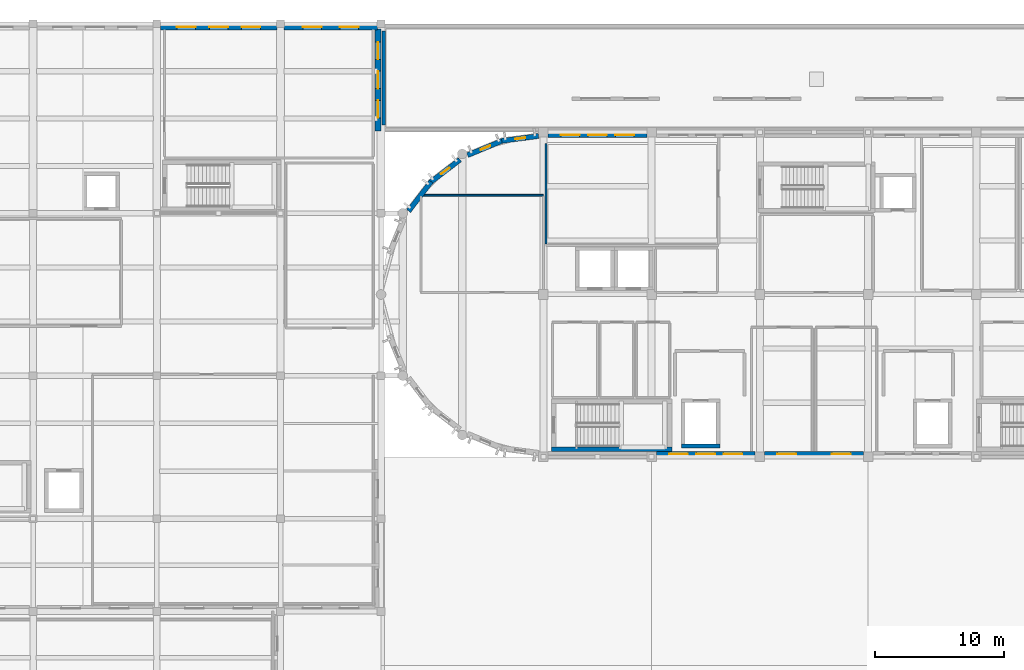
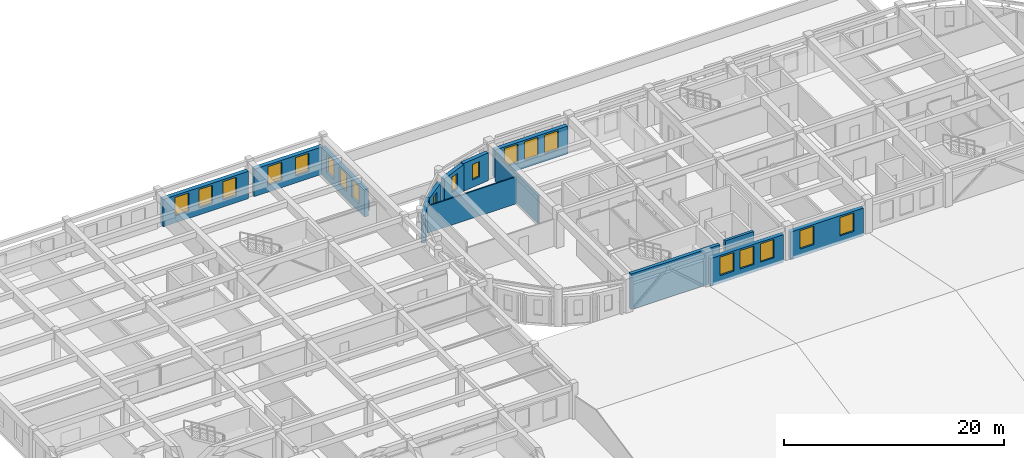
# One storey, part 21 of 46: 19 windows, 15 walls, 19 openings.
"""IFC4 building model written with IfcOpenShell, lengths in metres."""

from ifc_helpers import new_model, si_unit, direction, frame, frame_2d, origin, place, context, subcontext, project, spatial, rectangle, extrude, material, layer, layer_set, type_object, element, fill, save


model = new_model("IFC4")

# Units and contexts
model_context = context("Model", 3, precision=1e-05, world=origin(), true_north=direction((0.0, 1.0)))
body_context = subcontext(model_context, "Body", "Model", "MODEL_VIEW")
ifc_project = project(units=[si_unit("LENGTHUNIT", "METRE"), si_unit("AREAUNIT", "SQUARE_METRE"), si_unit("VOLUMEUNIT", "CUBIC_METRE"), si_unit("PLANEANGLEUNIT", "RADIAN"), si_unit("MASSUNIT", "GRAM", prefix="KILO")], contexts=[model_context])

# Site, building, storey
site_placement = place(None, origin())
site = spatial("IfcSite", under=ifc_project, at=site_placement, CompositionType="ELEMENT")
building_placement = place(site_placement, origin())
building = spatial("IfcBuilding", under=site, at=building_placement, Name="Tarnavel Promenade Courthouse", CompositionType="ELEMENT")
storey_placement = place(building_placement, frame((0.0, 0.0, 14.39990234375)))
storey = spatial("IfcBuildingStorey", under=building, at=storey_placement, Name="L04", CompositionType="ELEMENT", Elevation=14.39990234375)

# Walls
ifc_material_1 = material(Name="Concrete C35/45", Category="concrete")
ifc_layer_1 = layer(ifc_material_1, 0.264892578125)
ifc_layer_set_1 = layer_set([ifc_layer_1], Name="Concrete C35/45")
wall_type_1 = type_object("IfcWallType", Name="Concrete C35/45 WL-PAR-265 (265 mm)", PredefinedType="PARAPET", material=ifc_layer_set_1)
wall_1_placement = place(storey_placement, frame((46.39990234375, 104.949951171875, 0.235107421875), z_axis=(0.0, 0.0, 1.0), x_axis=(0.0, 1.0, 0.0)))
element("IfcWall", 1, at=wall_1_placement, inside=storey, type_object=wall_type_1, Name="L04 North Foyer Roof Parapet West 0464", PredefinedType="PARAPET", context=body_context, shape_type="SweptSolid", body=[
    extrude(rectangle(XDim=7.300048828125, YDim=0.264892578125, at=frame_2d((3.64990234375, 0.0))), origin(), (0.0, 0.0, 1.0), 1.14501953125),
])
ifc_material_2 = material(Name="Concrete C40/50", Category="concrete")
ifc_layer_2 = layer(ifc_material_2, 0.280029296875)
ifc_layer_set_2 = layer_set([ifc_layer_2], Name="Concrete C40/50")
wall_type_2 = type_object("IfcWallType", Name="Concrete C40/50 WL-SHR-280 (280 mm)", PredefinedType="SHEAR", material=ifc_layer_set_2)
wall_2_placement = place(storey_placement, frame((72.5, 80.0400390625, 0.0), z_axis=(0.0, 0.0, 1.0), x_axis=(-1.0, 0.0, 0.0)))
element("IfcWall", 2, at=wall_2_placement, inside=storey, type_object=wall_type_2, Name="L04 L-FF1 Lift Shaft South Wall", PredefinedType="SHEAR", context=body_context, shape_type="SweptSolid", body=[
    extrude(rectangle(XDim=3.0, YDim=0.280029296875, at=frame_2d((1.5, 0.0))), origin(), (0.0, 0.0, 1.0), 3.960205078125),
])
ifc_layer_3 = layer(ifc_material_2, 0.360107421875)
ifc_layer_set_3 = layer_set([ifc_layer_3], Name="Concrete C40/50")
wall_type_3 = type_object("IfcWallType", Name="Concrete C40/50 WL-SHR-360 (360 mm)", PredefinedType="SHEAR", material=ifc_layer_set_3)
wall_3_placement = place(storey_placement, frame((68.780029296875, 79.800048828125, 0.0), z_axis=(0.0, 0.0, 1.0), x_axis=(-1.0, 0.0, 0.0)))
element("IfcWall", 3, at=wall_3_placement, inside=storey, type_object=wall_type_3, Name="L04 ST-01 Shear Core South Wall", PredefinedType="SHEAR", context=body_context, shape_type="SweptSolid", body=[
    extrude(rectangle(XDim=9.360107421875, YDim=0.360107421875, at=frame_2d((4.68017578125, 0.0))), origin(), (0.0, 0.0, 1.0), 3.960205078125),
])

# Wall, openings, windows
ifc_material_3 = material(Name="Cream Brick Insulated Cavity Facade Assembly", Category="masonry")
ifc_layer_4 = layer(ifc_material_3, 0.409912109375)
ifc_layer_set_4 = layer_set([ifc_layer_4], Name="Cream Brick Insulated Cavity Facade Assembly")
wall_type_4 = type_object("IfcWallType", Name="Cream Brick Insulated Cavity Facade Assembly WL-EXT-410 (410 mm)", PredefinedType="STANDARD", material=ifc_layer_set_4)
wall_4_placement = place(storey_placement, frame((59.162109375, 104.179931640625, 0.0), z_axis=(0.0, 0.0, 1.0), x_axis=(1.0, 0.0, 0.0)))
wall_4 = element("IfcWall", 4, at=wall_4_placement, inside=storey, type_object=wall_type_4, Name="L04 Bar North Limestone Facade 0074", PredefinedType="STANDARD", context=body_context, shape_type="SweptSolid", body=[
    extrude(rectangle(XDim=7.6708984375, YDim=0.409912109375, at=frame_2d((3.83544921875, 0.0))), origin(), (0.0, 0.0, 1.0), 3.090087890625),
])
opening_1_placement = place(wall_4_placement, frame((0.999755859375, 0.0, 0.85009765625)))
opening_1 = element("IfcOpeningElement", 5, at=opening_1_placement, cuts=wall_4, Name="Opening W-03", PredefinedType="OPENING", context=body_context, shape_type="SweptSolid", body=[
    extrude(rectangle(XDim=1.449951171875, YDim=2.050048828125, at=frame_2d((0.72509765625, 1.02490234375))), frame((0.0, 0.21484375, 0.0), z_axis=(0.0, -1.0, 0.0), x_axis=(1.0, 0.0, 0.0)), (0.0, 0.0, 1.0), 0.429931640625),
])
opening_2_placement = place(wall_4_placement, frame((3.113037109375, 0.0, 0.85009765625)))
opening_2 = element("IfcOpeningElement", 6, at=opening_2_placement, cuts=wall_4, Name="Opening W-03", PredefinedType="OPENING", context=body_context, shape_type="SweptSolid", body=[
    extrude(rectangle(XDim=1.449951171875, YDim=2.050048828125, at=frame_2d((0.72509765625, 1.02490234375))), frame((0.0, 0.21484375, 0.0), z_axis=(0.0, -1.0, 0.0), x_axis=(1.0, 0.0, 0.0)), (0.0, 0.0, 1.0), 0.429931640625),
])
opening_3_placement = place(wall_4_placement, frame((5.226318359375, 0.0, 0.85009765625)))
opening_3 = element("IfcOpeningElement", 7, at=opening_3_placement, cuts=wall_4, Name="Opening W-03", PredefinedType="OPENING", context=body_context, shape_type="SweptSolid", body=[
    extrude(rectangle(XDim=1.449951171875, YDim=2.050048828125, at=frame_2d((0.72509765625, 1.02490234375))), frame((0.0, 0.21484375, 0.0), z_axis=(0.0, -1.0, 0.0), x_axis=(1.0, 0.0, 0.0)), (0.0, 0.0, 1.0), 0.429931640625),
])
ifc_material_4 = material(Name="Triple Low-E Glazed Bronze-Clad Window Assembly")
window_type_1 = type_object("IfcWindowType", Name="Triple-Glazed Bronze-Clad Timber-Aluminium WIN-APP-1450x2050", PartitioningType="SINGLE_PANEL", PredefinedType="WINDOW", material=ifc_material_4)
window_1_placement = place(opening_1_placement, origin())
window_1 = element("IfcWindow", 8, at=window_1_placement, inside=storey, type_object=window_type_1, Name="L04 Exterior Window 0047", OverallHeight=2.050048828125, OverallWidth=1.449951171875, PartitioningType="SINGLE_PANEL", PredefinedType="WINDOW", context=body_context, shape_type="SweptSolid", body=[
    extrude(rectangle(XDim=1.449951171875, YDim=2.050048828125, at=frame_2d((0.72509765625, 1.02490234375))), frame((0.0, 0.030029296875, 0.0), z_axis=(0.0, -1.0, 0.0), x_axis=(1.0, 0.0, 0.0)), (0.0, 0.0, 1.0), 0.06005859375),
])
fill(opening_1, window_1)
window_2_placement = place(opening_2_placement, origin())
window_2 = element("IfcWindow", 9, at=window_2_placement, inside=storey, type_object=window_type_1, Name="L04 Exterior Window 0048", OverallHeight=2.050048828125, OverallWidth=1.449951171875, PartitioningType="SINGLE_PANEL", PredefinedType="WINDOW", context=body_context, shape_type="SweptSolid", body=[
    extrude(rectangle(XDim=1.449951171875, YDim=2.050048828125, at=frame_2d((0.72509765625, 1.02490234375))), frame((0.0, 0.030029296875, 0.0), z_axis=(0.0, -1.0, 0.0), x_axis=(1.0, 0.0, 0.0)), (0.0, 0.0, 1.0), 0.06005859375),
])
fill(opening_2, window_2)
window_3_placement = place(opening_3_placement, origin())
window_3 = element("IfcWindow", 10, at=window_3_placement, inside=storey, type_object=window_type_1, Name="L04 Exterior Window 0049", OverallHeight=2.050048828125, OverallWidth=1.449951171875, PartitioningType="SINGLE_PANEL", PredefinedType="WINDOW", context=body_context, shape_type="SweptSolid", body=[
    extrude(rectangle(XDim=1.449951171875, YDim=2.050048828125, at=frame_2d((0.72509765625, 1.02490234375))), frame((0.0, 0.030029296875, 0.0), z_axis=(0.0, -1.0, 0.0), x_axis=(1.0, 0.0, 0.0)), (0.0, 0.0, 1.0), 0.06005859375),
])
fill(opening_3, window_3)

wall_5_placement = place(storey_placement, frame((75.23291015625, 79.419921875, 0.0), z_axis=(0.0, 0.0, 1.0), x_axis=(-1.0, 0.0, 0.0)))
wall_5 = element("IfcWall", 11, at=wall_5_placement, inside=storey, type_object=wall_type_4, Name="L04 Bar South Limestone Facade 0080", PredefinedType="STANDARD", context=body_context, shape_type="SweptSolid", body=[
    extrude(rectangle(XDim=7.666015625, YDim=0.409912109375, at=frame_2d((3.8330078125, 0.0))), origin(), (0.0, 0.0, 1.0), 3.090087890625),
])
opening_4_placement = place(wall_5_placement, frame((0.99462890625, 0.0, 0.85009765625)))
opening_4 = element("IfcOpeningElement", 12, at=opening_4_placement, cuts=wall_5, Name="Opening W-03", PredefinedType="OPENING", context=body_context, shape_type="SweptSolid", body=[
    extrude(rectangle(XDim=1.449951171875, YDim=2.050048828125, at=frame_2d((0.72509765625, 1.02490234375))), frame((0.0, 0.21484375, 0.0), z_axis=(0.0, -1.0, 0.0), x_axis=(1.0, 0.0, 0.0)), (0.0, 0.0, 1.0), 0.429931640625),
])
opening_5_placement = place(wall_5_placement, frame((3.10791015625, 0.0, 0.85009765625)))
opening_5 = element("IfcOpeningElement", 13, at=opening_5_placement, cuts=wall_5, Name="Opening W-03", PredefinedType="OPENING", context=body_context, shape_type="SweptSolid", body=[
    extrude(rectangle(XDim=1.449951171875, YDim=2.050048828125, at=frame_2d((0.72509765625, 1.02490234375))), frame((0.0, 0.21484375, 0.0), z_axis=(0.0, -1.0, 0.0), x_axis=(1.0, 0.0, 0.0)), (0.0, 0.0, 1.0), 0.429931640625),
])
opening_6_placement = place(wall_5_placement, frame((5.22119140625, 0.0, 0.85009765625)))
opening_6 = element("IfcOpeningElement", 14, at=opening_6_placement, cuts=wall_5, Name="Opening W-03", PredefinedType="OPENING", context=body_context, shape_type="SweptSolid", body=[
    extrude(rectangle(XDim=1.449951171875, YDim=2.050048828125, at=frame_2d((0.72509765625, 1.02490234375))), frame((0.0, 0.21484375, 0.0), z_axis=(0.0, -1.0, 0.0), x_axis=(1.0, 0.0, 0.0)), (0.0, 0.0, 1.0), 0.429931640625),
])
window_4_placement = place(opening_4_placement, origin())
window_4 = element("IfcWindow", 15, at=window_4_placement, inside=storey, type_object=window_type_1, Name="L04 Exterior Window 0057", OverallHeight=2.050048828125, OverallWidth=1.449951171875, PartitioningType="SINGLE_PANEL", PredefinedType="WINDOW", context=body_context, shape_type="SweptSolid", body=[
    extrude(rectangle(XDim=1.449951171875, YDim=2.050048828125, at=frame_2d((0.72509765625, 1.02490234375))), frame((0.0, 0.030029296875, 0.0), z_axis=(0.0, -1.0, 0.0), x_axis=(1.0, 0.0, 0.0)), (0.0, 0.0, 1.0), 0.06005859375),
])
fill(opening_4, window_4)
window_5_placement = place(opening_5_placement, origin())
window_5 = element("IfcWindow", 16, at=window_5_placement, inside=storey, type_object=window_type_1, Name="L04 Exterior Window 0058", OverallHeight=2.050048828125, OverallWidth=1.449951171875, PartitioningType="SINGLE_PANEL", PredefinedType="WINDOW", context=body_context, shape_type="SweptSolid", body=[
    extrude(rectangle(XDim=1.449951171875, YDim=2.050048828125, at=frame_2d((0.72509765625, 1.02490234375))), frame((0.0, 0.030029296875, 0.0), z_axis=(0.0, -1.0, 0.0), x_axis=(1.0, 0.0, 0.0)), (0.0, 0.0, 1.0), 0.06005859375),
])
fill(opening_5, window_5)
window_6_placement = place(opening_6_placement, origin())
window_6 = element("IfcWindow", 17, at=window_6_placement, inside=storey, type_object=window_type_1, Name="L04 Exterior Window 0059", OverallHeight=2.050048828125, OverallWidth=1.449951171875, PartitioningType="SINGLE_PANEL", PredefinedType="WINDOW", context=body_context, shape_type="SweptSolid", body=[
    extrude(rectangle(XDim=1.449951171875, YDim=2.050048828125, at=frame_2d((0.72509765625, 1.02490234375))), frame((0.0, 0.030029296875, 0.0), z_axis=(0.0, -1.0, 0.0), x_axis=(1.0, 0.0, 0.0)), (0.0, 0.0, 1.0), 0.06005859375),
])
fill(opening_6, window_6)

wall_6_placement = place(storey_placement, frame((83.633056640625, 79.419921875, 0.0), z_axis=(0.0, 0.0, 1.0), x_axis=(-1.0, 0.0, 0.0)))
wall_6 = element("IfcWall", 18, at=wall_6_placement, inside=storey, type_object=wall_type_4, Name="L04 Bar South Limestone Facade 0081", PredefinedType="STANDARD", context=body_context, shape_type="SweptSolid", body=[
    extrude(rectangle(XDim=7.666015625, YDim=0.409912109375, at=frame_2d((3.8330078125, 0.0))), origin(), (0.0, 0.0, 1.0), 3.090087890625),
])
opening_7_placement = place(wall_6_placement, frame((0.99462890625, 0.0, 0.85009765625)))
opening_7 = element("IfcOpeningElement", 19, at=opening_7_placement, cuts=wall_6, Name="Opening W-03", PredefinedType="OPENING", context=body_context, shape_type="SweptSolid", body=[
    extrude(rectangle(XDim=1.449951171875, YDim=2.050048828125, at=frame_2d((0.72509765625, 1.02490234375))), frame((0.0, 0.21484375, 0.0), z_axis=(0.0, -1.0, 0.0), x_axis=(1.0, 0.0, 0.0)), (0.0, 0.0, 1.0), 0.429931640625),
])
opening_8_placement = place(wall_6_placement, frame((5.22119140625, 0.0, 0.85009765625)))
opening_8 = element("IfcOpeningElement", 20, at=opening_8_placement, cuts=wall_6, Name="Opening W-03", PredefinedType="OPENING", context=body_context, shape_type="SweptSolid", body=[
    extrude(rectangle(XDim=1.449951171875, YDim=2.050048828125, at=frame_2d((0.72509765625, 1.02490234375))), frame((0.0, 0.21484375, 0.0), z_axis=(0.0, -1.0, 0.0), x_axis=(1.0, 0.0, 0.0)), (0.0, 0.0, 1.0), 0.429931640625),
])
window_7_placement = place(opening_7_placement, origin())
window_7 = element("IfcWindow", 21, at=window_7_placement, inside=storey, type_object=window_type_1, Name="L04 Exterior Window 0060", OverallHeight=2.050048828125, OverallWidth=1.449951171875, PartitioningType="SINGLE_PANEL", PredefinedType="WINDOW", context=body_context, shape_type="SweptSolid", body=[
    extrude(rectangle(XDim=1.449951171875, YDim=2.050048828125, at=frame_2d((0.72509765625, 1.02490234375))), frame((0.0, 0.030029296875, 0.0), z_axis=(0.0, -1.0, 0.0), x_axis=(1.0, 0.0, 0.0)), (0.0, 0.0, 1.0), 0.06005859375),
])
fill(opening_7, window_7)
window_8_placement = place(opening_8_placement, origin())
window_8 = element("IfcWindow", 22, at=window_8_placement, inside=storey, type_object=window_type_1, Name="L04 Exterior Window 0061", OverallHeight=2.050048828125, OverallWidth=1.449951171875, PartitioningType="SINGLE_PANEL", PredefinedType="WINDOW", context=body_context, shape_type="SweptSolid", body=[
    extrude(rectangle(XDim=1.449951171875, YDim=2.050048828125, at=frame_2d((0.72509765625, 1.02490234375))), frame((0.0, 0.030029296875, 0.0), z_axis=(0.0, -1.0, 0.0), x_axis=(1.0, 0.0, 0.0)), (0.0, 0.0, 1.0), 0.06005859375),
])
fill(opening_8, window_8)

# Wall
ifc_material_5 = material(Name="Double-Stud Acoustic Courtroom Partition Assembly", Category="gypsum")
ifc_layer_5 = layer(ifc_material_5, 0.18505859375)
ifc_layer_set_5 = layer_set([ifc_layer_5], Name="Double-Stud Acoustic Courtroom Partition Assembly")
wall_type_5 = type_object("IfcWallType", Name="Double-Stud Acoustic Courtroom Partition Assembly WL-CRT-185 (185 mm)", PredefinedType="PARTITIONING", material=ifc_layer_set_5)
wall_7_placement = place(storey_placement, frame((59.0, 95.702392578125, 0.0), z_axis=(0.0, 0.0, 1.0), x_axis=(0.0, 1.0, 0.0)))
element("IfcWall", 23, at=wall_7_placement, inside=storey, type_object=wall_type_5, Name="L04 Constitutional Review Courtroom Partition 0622", PredefinedType="PARTITIONING", context=body_context, shape_type="SweptSolid", body=[
    extrude(rectangle(XDim=7.795166015625, YDim=0.18505859375, at=frame_2d((3.8974609375, 0.0))), origin(), (0.0, 0.0, 1.0), 3.090087890625),
])

# Wall, openings, windows
ifc_material_6 = material(Name="Limestone Ashlar Faced Insulated Brick Masonry", Category="masonry")
ifc_layer_6 = layer(ifc_material_6, 0.43994140625)
ifc_layer_set_6 = layer_set([ifc_layer_6], Name="Limestone Ashlar Faced Insulated Brick Masonry")
wall_type_6 = type_object("IfcWallType", Name="Limestone Ashlar Faced Insulated Brick Masonry WL-EXT-440 (440 mm)", PredefinedType="STANDARD", material=ifc_layer_set_6)
wall_8_placement = place(storey_placement, frame((29.092041015625, 112.56005859375, 0.0), z_axis=(0.0, 0.0, 1.0), x_axis=(1.0, 0.0, 0.0)))
wall_8 = element("IfcWall", 24, at=wall_8_placement, inside=storey, type_object=wall_type_6, Name="L04 Trial Wing North Ashlar Facade 0302", PredefinedType="STANDARD", context=body_context, shape_type="SweptSolid", body=[
    extrude(rectangle(XDim=9.015869140625, YDim=0.43994140625, at=frame_2d((4.5078125, 0.0))), origin(), (0.0, 0.0, 1.0), 3.0400390625),
])
opening_9_placement = place(wall_8_placement, frame((1.269775390625, 0.0, 0.77001953125)))
opening_9 = element("IfcOpeningElement", 25, at=opening_9_placement, cuts=wall_8, Name="Opening W-03", PredefinedType="OPENING", context=body_context, shape_type="SweptSolid", body=[
    extrude(rectangle(XDim=1.449951171875, YDim=2.050048828125, at=frame_2d((0.72509765625, 1.02490234375))), frame((0.0, 0.22998046875, 0.0), z_axis=(0.0, -1.0, 0.0), x_axis=(1.0, 0.0, 0.0)), (0.0, 0.0, 1.0), 0.4599609375),
])
opening_10_placement = place(wall_8_placement, frame((3.782958984375, 0.0, 0.77001953125)))
opening_10 = element("IfcOpeningElement", 26, at=opening_10_placement, cuts=wall_8, Name="Opening W-03", PredefinedType="OPENING", context=body_context, shape_type="SweptSolid", body=[
    extrude(rectangle(XDim=1.449951171875, YDim=2.050048828125, at=frame_2d((0.72509765625, 1.02490234375))), frame((0.0, 0.22998046875, 0.0), z_axis=(0.0, -1.0, 0.0), x_axis=(1.0, 0.0, 0.0)), (0.0, 0.0, 1.0), 0.4599609375),
])
opening_11_placement = place(wall_8_placement, frame((6.29638671875, 0.0, 0.77001953125)))
opening_11 = element("IfcOpeningElement", 27, at=opening_11_placement, cuts=wall_8, Name="Opening W-03", PredefinedType="OPENING", context=body_context, shape_type="SweptSolid", body=[
    extrude(rectangle(XDim=1.449951171875, YDim=2.050048828125, at=frame_2d((0.72509765625, 1.02490234375))), frame((0.0, 0.22998046875, 0.0), z_axis=(0.0, -1.0, 0.0), x_axis=(1.0, 0.0, 0.0)), (0.0, 0.0, 1.0), 0.4599609375),
])
window_9_placement = place(opening_9_placement, origin())
window_9 = element("IfcWindow", 28, at=window_9_placement, inside=storey, type_object=window_type_1, Name="L04 Exterior Window 0305", OverallHeight=2.050048828125, OverallWidth=1.449951171875, PartitioningType="SINGLE_PANEL", PredefinedType="WINDOW", context=body_context, shape_type="SweptSolid", body=[
    extrude(rectangle(XDim=1.449951171875, YDim=2.050048828125, at=frame_2d((0.72509765625, 1.02490234375))), frame((0.0, 0.030029296875, 0.0), z_axis=(0.0, -1.0, 0.0), x_axis=(1.0, 0.0, 0.0)), (0.0, 0.0, 1.0), 0.06005859375),
])
fill(opening_9, window_9)
window_10_placement = place(opening_10_placement, origin())
window_10 = element("IfcWindow", 29, at=window_10_placement, inside=storey, type_object=window_type_1, Name="L04 Exterior Window 0306", OverallHeight=2.050048828125, OverallWidth=1.449951171875, PartitioningType="SINGLE_PANEL", PredefinedType="WINDOW", context=body_context, shape_type="SweptSolid", body=[
    extrude(rectangle(XDim=1.449951171875, YDim=2.050048828125, at=frame_2d((0.72509765625, 1.02490234375))), frame((0.0, 0.030029296875, 0.0), z_axis=(0.0, -1.0, 0.0), x_axis=(1.0, 0.0, 0.0)), (0.0, 0.0, 1.0), 0.06005859375),
])
fill(opening_10, window_10)
window_11_placement = place(opening_11_placement, origin())
window_11 = element("IfcWindow", 30, at=window_11_placement, inside=storey, type_object=window_type_1, Name="L04 Exterior Window 0307", OverallHeight=2.050048828125, OverallWidth=1.449951171875, PartitioningType="SINGLE_PANEL", PredefinedType="WINDOW", context=body_context, shape_type="SweptSolid", body=[
    extrude(rectangle(XDim=1.449951171875, YDim=2.050048828125, at=frame_2d((0.72509765625, 1.02490234375))), frame((0.0, 0.030029296875, 0.0), z_axis=(0.0, -1.0, 0.0), x_axis=(1.0, 0.0, 0.0)), (0.0, 0.0, 1.0), 0.06005859375),
])
fill(opening_11, window_11)

wall_9_placement = place(storey_placement, frame((38.68701171875, 112.56005859375, 0.0), z_axis=(0.0, 0.0, 1.0), x_axis=(1.0, 0.0, 0.0)))
wall_9 = element("IfcWall", 31, at=wall_9_placement, inside=storey, type_object=wall_type_6, Name="L04 Trial Wing North Ashlar Facade 0303", PredefinedType="STANDARD", context=body_context, shape_type="SweptSolid", body=[
    extrude(rectangle(XDim=7.22607421875, YDim=0.43994140625, at=frame_2d((3.613037109375, 0.0))), origin(), (0.0, 0.0, 1.0), 3.0400390625),
])
opening_12_placement = place(wall_9_placement, frame((1.452880859375, 0.0, 0.77001953125)))
opening_12 = element("IfcOpeningElement", 32, at=opening_12_placement, cuts=wall_9, Name="Opening W-03", PredefinedType="OPENING", context=body_context, shape_type="SweptSolid", body=[
    extrude(rectangle(XDim=1.449951171875, YDim=2.050048828125, at=frame_2d((0.72509765625, 1.02490234375))), frame((0.0, 0.22998046875, 0.0), z_axis=(0.0, -1.0, 0.0), x_axis=(1.0, 0.0, 0.0)), (0.0, 0.0, 1.0), 0.4599609375),
])
opening_13_placement = place(wall_9_placement, frame((4.322998046875, 0.0, 0.77001953125)))
opening_13 = element("IfcOpeningElement", 33, at=opening_13_placement, cuts=wall_9, Name="Opening W-03", PredefinedType="OPENING", context=body_context, shape_type="SweptSolid", body=[
    extrude(rectangle(XDim=1.449951171875, YDim=2.050048828125, at=frame_2d((0.72509765625, 1.02490234375))), frame((0.0, 0.22998046875, 0.0), z_axis=(0.0, -1.0, 0.0), x_axis=(1.0, 0.0, 0.0)), (0.0, 0.0, 1.0), 0.4599609375),
])
window_12_placement = place(opening_12_placement, origin())
window_12 = element("IfcWindow", 34, at=window_12_placement, inside=storey, type_object=window_type_1, Name="L04 Exterior Window 0308", OverallHeight=2.050048828125, OverallWidth=1.449951171875, PartitioningType="SINGLE_PANEL", PredefinedType="WINDOW", context=body_context, shape_type="SweptSolid", body=[
    extrude(rectangle(XDim=1.449951171875, YDim=2.050048828125, at=frame_2d((0.72509765625, 1.02490234375))), frame((0.0, 0.030029296875, 0.0), z_axis=(0.0, -1.0, 0.0), x_axis=(1.0, 0.0, 0.0)), (0.0, 0.0, 1.0), 0.06005859375),
])
fill(opening_12, window_12)
window_13_placement = place(opening_13_placement, origin())
window_13 = element("IfcWindow", 35, at=window_13_placement, inside=storey, type_object=window_type_1, Name="L04 Exterior Window 0309", OverallHeight=2.050048828125, OverallWidth=1.449951171875, PartitioningType="SINGLE_PANEL", PredefinedType="WINDOW", context=body_context, shape_type="SweptSolid", body=[
    extrude(rectangle(XDim=1.449951171875, YDim=2.050048828125, at=frame_2d((0.72509765625, 1.02490234375))), frame((0.0, 0.030029296875, 0.0), z_axis=(0.0, -1.0, 0.0), x_axis=(1.0, 0.0, 0.0)), (0.0, 0.0, 1.0), 0.06005859375),
])
fill(opening_13, window_13)

wall_10_placement = place(storey_placement, frame((45.9599609375, 104.5, 0.0), z_axis=(0.0, 0.0, 1.0), x_axis=(0.0, 1.0, 0.0)))
wall_10 = element("IfcWall", 36, at=wall_10_placement, inside=storey, type_object=wall_type_6, Name="L04 L04 Trial Wing North-East Stepback Wall 0446", PredefinedType="STANDARD", context=body_context, shape_type="SweptSolid", body=[
    extrude(rectangle(XDim=7.89990234375, YDim=0.43994140625, at=frame_2d((3.949951171875, 0.0))), origin(), (0.0, 0.0, 1.0), 3.0400390625),
])
opening_14_placement = place(wall_10_placement, frame((1.00830078125, 0.0, 0.85009765625)))
opening_14 = element("IfcOpeningElement", 37, at=opening_14_placement, cuts=wall_10, Name="Opening W-04", PredefinedType="OPENING", context=body_context, shape_type="SweptSolid", body=[
    extrude(rectangle(XDim=1.35009765625, YDim=1.949951171875, at=frame_2d((0.675048828125, 0.97509765625))), frame((0.0, 0.22998046875, 0.0), z_axis=(0.0, -1.0, 0.0), x_axis=(1.0, 0.0, 0.0)), (0.0, 0.0, 1.0), 0.4599609375),
])
opening_15_placement = place(wall_10_placement, frame((3.27490234375, 0.0, 0.85009765625)))
opening_15 = element("IfcOpeningElement", 38, at=opening_15_placement, cuts=wall_10, Name="Opening W-04", PredefinedType="OPENING", context=body_context, shape_type="SweptSolid", body=[
    extrude(rectangle(XDim=1.35009765625, YDim=1.949951171875, at=frame_2d((0.675048828125, 0.97509765625))), frame((0.0, 0.22998046875, 0.0), z_axis=(0.0, -1.0, 0.0), x_axis=(1.0, 0.0, 0.0)), (0.0, 0.0, 1.0), 0.4599609375),
])
opening_16_placement = place(wall_10_placement, frame((5.541748046875, 0.0, 0.85009765625)))
opening_16 = element("IfcOpeningElement", 39, at=opening_16_placement, cuts=wall_10, Name="Opening W-04", PredefinedType="OPENING", context=body_context, shape_type="SweptSolid", body=[
    extrude(rectangle(XDim=1.35009765625, YDim=1.949951171875, at=frame_2d((0.675048828125, 0.97509765625))), frame((0.0, 0.22998046875, 0.0), z_axis=(0.0, -1.0, 0.0), x_axis=(1.0, 0.0, 0.0)), (0.0, 0.0, 1.0), 0.4599609375),
])
window_type_2 = type_object("IfcWindowType", Name="Triple-Glazed Bronze-Clad Timber-Aluminium WIN-CHM-1350x1950", PartitioningType="SINGLE_PANEL", PredefinedType="WINDOW", material=ifc_material_4)
window_14_placement = place(opening_14_placement, origin())
window_14 = element("IfcWindow", 40, at=window_14_placement, inside=storey, type_object=window_type_2, Name="L04 Exterior Window 0566", OverallHeight=1.949951171875, OverallWidth=1.35009765625, PartitioningType="SINGLE_PANEL", PredefinedType="WINDOW", context=body_context, shape_type="SweptSolid", body=[
    extrude(rectangle(XDim=1.35009765625, YDim=1.949951171875, at=frame_2d((0.675048828125, 0.97509765625))), frame((0.0, 0.030029296875, 0.0), z_axis=(0.0, -1.0, 0.0), x_axis=(1.0, 0.0, 0.0)), (0.0, 0.0, 1.0), 0.06005859375),
])
fill(opening_14, window_14)
window_15_placement = place(opening_15_placement, origin())
window_15 = element("IfcWindow", 41, at=window_15_placement, inside=storey, type_object=window_type_2, Name="L04 Exterior Window 0567", OverallHeight=1.949951171875, OverallWidth=1.35009765625, PartitioningType="SINGLE_PANEL", PredefinedType="WINDOW", context=body_context, shape_type="SweptSolid", body=[
    extrude(rectangle(XDim=1.35009765625, YDim=1.949951171875, at=frame_2d((0.675048828125, 0.97509765625))), frame((0.0, 0.030029296875, 0.0), z_axis=(0.0, -1.0, 0.0), x_axis=(1.0, 0.0, 0.0)), (0.0, 0.0, 1.0), 0.06005859375),
])
fill(opening_15, window_15)
window_16_placement = place(opening_16_placement, origin())
window_16 = element("IfcWindow", 42, at=window_16_placement, inside=storey, type_object=window_type_2, Name="L04 Exterior Window 0568", OverallHeight=1.949951171875, OverallWidth=1.35009765625, PartitioningType="SINGLE_PANEL", PredefinedType="WINDOW", context=body_context, shape_type="SweptSolid", body=[
    extrude(rectangle(XDim=1.35009765625, YDim=1.949951171875, at=frame_2d((0.675048828125, 0.97509765625))), frame((0.0, 0.030029296875, 0.0), z_axis=(0.0, -1.0, 0.0), x_axis=(1.0, 0.0, 0.0)), (0.0, 0.0, 1.0), 0.06005859375),
])
fill(opening_16, window_16)

# Wall
ifc_material_7 = material(Name="Metal-Stud Acoustic Gypsum Partition", Category="gypsum")
ifc_layer_7 = layer(ifc_material_7, 0.135009765625)
ifc_layer_set_7 = layer_set([ifc_layer_7], Name="Metal-Stud Acoustic Gypsum Partition")
wall_type_7 = type_object("IfcWallType", Name="Metal-Stud Acoustic Gypsum Partition WL-OFF-135 (135 mm)", PredefinedType="PARTITIONING", material=ifc_layer_set_7)
wall_11_placement = place(storey_placement, frame((49.300048828125, 99.5, 0.0), z_axis=(0.0, 0.0, 1.0), x_axis=(1.0, 0.0, 0.0)))
element("IfcWall", 43, at=wall_11_placement, inside=storey, type_object=wall_type_7, Name="L04 L04 West Drum Rotunda Meeting North Partition 0644", PredefinedType="PARTITIONING", context=body_context, shape_type="SweptSolid", body=[
    extrude(rectangle(XDim=9.5, YDim=0.135009765625, at=frame_2d((4.75, 0.0))), origin(), (0.0, 0.0, 1.0), 2.989990234375),
])

# Wall, opening, window
ifc_material_8 = material(Name="Patinated Copper-Bronze Insulated Drum Wall Assembly", Category="masonry")
ifc_layer_8 = layer(ifc_material_8, 0.39501953125)
ifc_layer_set_8 = layer_set([ifc_layer_8], Name="Patinated Copper-Bronze Insulated Drum Wall Assembly")
wall_type_8 = type_object("IfcWallType", Name="Patinated Copper-Bronze Insulated Drum Wall Assembly WL-DRUM-395 (395 mm)", PredefinedType="ELEMENTEDWALL", material=ifc_layer_set_8)
wall_12_placement = place(storey_placement, frame((58.421142578125, 104.097900390625, 0.0), z_axis=(0.0, 0.0, 1.0), x_axis=(-0.991451982445, -0.130472090904, 0.0)))
wall_12 = element("IfcWall", 44, at=wall_12_placement, inside=storey, type_object=wall_type_8, Name="L04 W Copper Drum Chord Wall 01 0084", PredefinedType="ELEMENTEDWALL", context=body_context, shape_type="SweptSolid", body=[
    extrude(rectangle(XDim=2.874267578125, YDim=0.39501953125, at=frame_2d((1.43701171875, 0.0))), origin(), (0.0, 0.0, 1.0), 3.090087890625),
])
opening_17_placement = place(wall_12_placement, frame((1.037109375, 0.0, 0.85009765625)))
opening_17 = element("IfcOpeningElement", 45, at=opening_17_placement, cuts=wall_12, Name="Opening W-09", PredefinedType="OPENING", context=body_context, shape_type="SweptSolid", body=[
    extrude(rectangle(XDim=0.800048828125, YDim=1.699951171875, at=frame_2d((0.39990234375, 0.85009765625))), frame((0.0, 0.20751953125, 0.0), z_axis=(0.0, -1.0, 0.0), x_axis=(1.0, 0.0, 0.0)), (0.0, 0.0, 1.0), 0.4150390625),
])
window_type_3 = type_object("IfcWindowType", Name="Triple-Glazed Bronze-Clad Timber-Aluminium WIN-DRM-0800x1700", PartitioningType="SINGLE_PANEL", PredefinedType="WINDOW", material=ifc_material_4)
window_17_placement = place(opening_17_placement, origin())
window_17 = element("IfcWindow", 46, at=window_17_placement, inside=storey, type_object=window_type_3, Name="L04 Exterior Window 0065", OverallHeight=1.699951171875, OverallWidth=0.800048828125, PartitioningType="SINGLE_PANEL", PredefinedType="WINDOW", context=body_context, shape_type="SweptSolid", body=[
    extrude(rectangle(XDim=0.800048828125, YDim=1.699951171875, at=frame_2d((0.39990234375, 0.85009765625))), frame((0.0, 0.030029296875, 0.0), z_axis=(0.0, -1.0, 0.0), x_axis=(1.0, 0.0, 0.0)), (0.0, 0.0, 1.0), 0.06005859375),
])
fill(opening_17, window_17)

wall_13_placement = place(storey_placement, frame((55.634521484375, 103.73974609375, 0.0), z_axis=(0.0, 0.0, 1.0), x_axis=(-0.923871445027, -0.382702956696, 0.0)))
wall_13 = element("IfcWall", 47, at=wall_13_placement, inside=storey, type_object=wall_type_8, Name="L04 W Copper Drum Chord Wall 02 0085", PredefinedType="ELEMENTEDWALL", context=body_context, shape_type="SweptSolid", body=[
    extrude(rectangle(XDim=2.947265625, YDim=0.39501953125, at=frame_2d((1.4736328125, 0.0))), origin(), (0.0, 0.0, 1.0), 2.989990234375),
])
opening_18_placement = place(wall_13_placement, frame((1.037109375, 0.0, 0.85009765625)))
opening_18 = element("IfcOpeningElement", 48, at=opening_18_placement, cuts=wall_13, Name="Opening W-09", PredefinedType="OPENING", context=body_context, shape_type="SweptSolid", body=[
    extrude(rectangle(XDim=0.800048828125, YDim=1.699951171875, at=frame_2d((0.39990234375, 0.85009765625))), frame((0.0, 0.20751953125, 0.0), z_axis=(0.0, -1.0, 0.0), x_axis=(1.0, 0.0, 0.0)), (0.0, 0.0, 1.0), 0.4150390625),
])
window_18_placement = place(opening_18_placement, origin())
window_18 = element("IfcWindow", 49, at=window_18_placement, inside=storey, type_object=window_type_3, Name="L04 Exterior Window 0066", OverallHeight=1.699951171875, OverallWidth=0.800048828125, PartitioningType="SINGLE_PANEL", PredefinedType="WINDOW", context=body_context, shape_type="SweptSolid", body=[
    extrude(rectangle(XDim=0.800048828125, YDim=1.699951171875, at=frame_2d((0.39990234375, 0.85009765625))), frame((0.0, 0.030029296875, 0.0), z_axis=(0.0, -1.0, 0.0), x_axis=(1.0, 0.0, 0.0)), (0.0, 0.0, 1.0), 0.06005859375),
])
fill(opening_18, window_18)

wall_14_placement = place(storey_placement, frame((52.322998046875, 102.260986328125, 0.0), z_axis=(0.0, 0.0, 1.0), x_axis=(-0.793346533164, -0.608770300127, 0.0)))
wall_14 = element("IfcWall", 50, at=wall_14_placement, inside=storey, type_object=wall_type_8, Name="L04 W Copper Drum Chord Wall 03 0086", PredefinedType="ELEMENTEDWALL", context=body_context, shape_type="SweptSolid", body=[
    extrude(rectangle(XDim=2.874267578125, YDim=0.39501953125, at=frame_2d((1.43701171875, 0.0))), origin(), (0.0, 0.0, 1.0), 2.989990234375),
])
opening_19_placement = place(wall_14_placement, frame((1.037109375, 0.0, 0.85009765625)))
opening_19 = element("IfcOpeningElement", 51, at=opening_19_placement, cuts=wall_14, Name="Opening W-09", PredefinedType="OPENING", context=body_context, shape_type="SweptSolid", body=[
    extrude(rectangle(XDim=0.800048828125, YDim=1.699951171875, at=frame_2d((0.39990234375, 0.85009765625))), frame((0.0, 0.20751953125, 0.0), z_axis=(0.0, -1.0, 0.0), x_axis=(1.0, 0.0, 0.0)), (0.0, 0.0, 1.0), 0.4150390625),
])
window_19_placement = place(opening_19_placement, origin())
window_19 = element("IfcWindow", 52, at=window_19_placement, inside=storey, type_object=window_type_3, Name="L04 Exterior Window 0067", OverallHeight=1.699951171875, OverallWidth=0.800048828125, PartitioningType="SINGLE_PANEL", PredefinedType="WINDOW", context=body_context, shape_type="SweptSolid", body=[
    extrude(rectangle(XDim=0.800048828125, YDim=1.699951171875, at=frame_2d((0.39990234375, 0.85009765625))), frame((0.0, 0.030029296875, 0.0), z_axis=(0.0, -1.0, 0.0), x_axis=(1.0, 0.0, 0.0)), (0.0, 0.0, 1.0), 0.06005859375),
])
fill(opening_19, window_19)

# Wall
wall_15_placement = place(storey_placement, frame((50.0888671875, 100.557373046875, 0.0), z_axis=(0.0, 0.0, 1.0), x_axis=(-0.608770300127, -0.793346533164, 0.0)))
element("IfcWall", 53, at=wall_15_placement, inside=storey, type_object=wall_type_8, Name="L04 W Copper Drum Chord Wall 04 0087", PredefinedType="ELEMENTEDWALL", context=body_context, shape_type="SweptSolid", body=[
    extrude(rectangle(XDim=2.874267578125, YDim=0.39501953125, at=frame_2d((1.43701171875, 0.0))), origin(), (0.0, 0.0, 1.0), 3.090087890625),
])

save(model, "model.ifc")
